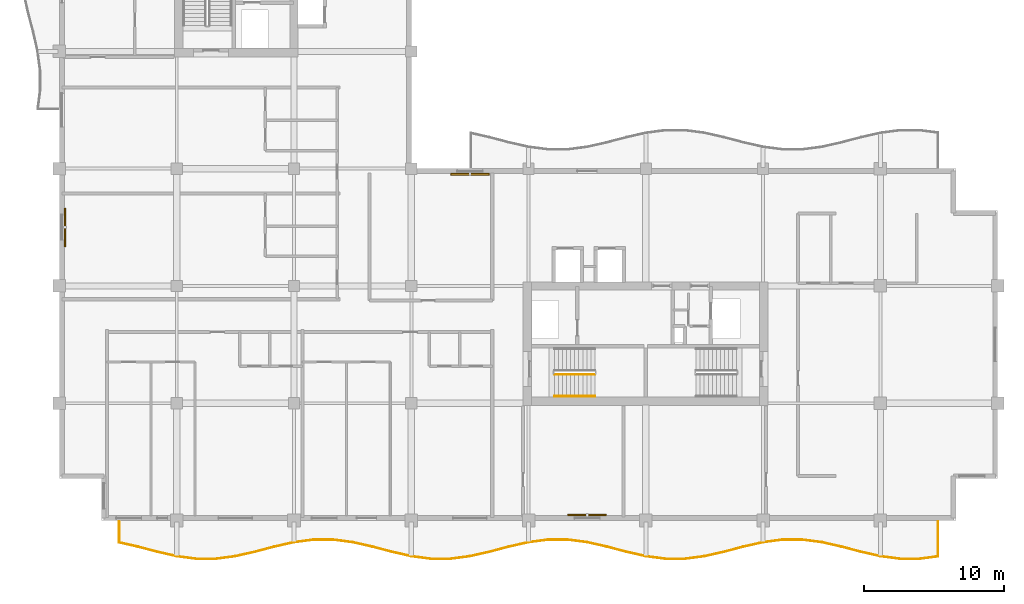
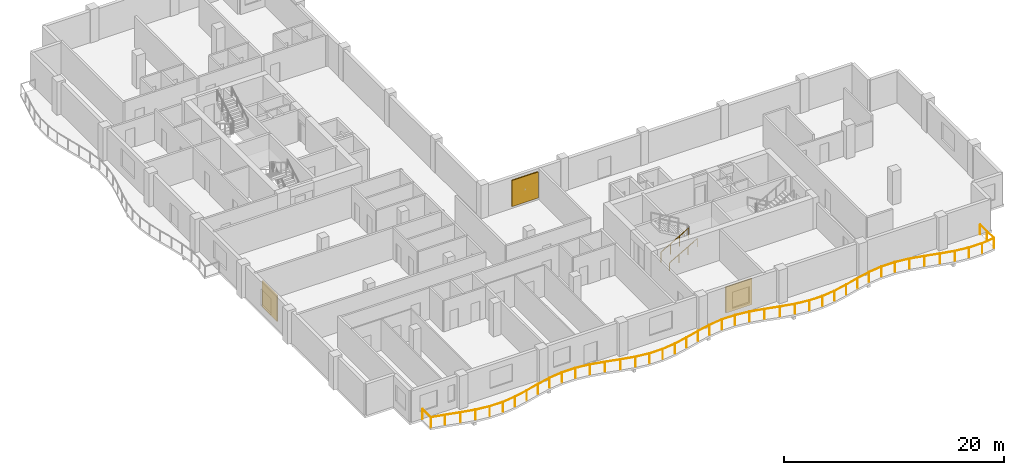
# One storey, part 10 of 12: 3 railings, 3 shading devices.
"""IFC4 building model written with IfcOpenShell, lengths in metres."""

from ifc_helpers import new_model, si_unit, direction, frame, origin, origin_2d, place, context, subcontext, project, spatial, rectangle, circle, extrude, material, layer, layer_set, type_object, element, save


model = new_model("IFC4")

# Units and contexts
model_context = context("Model", 3, precision=1e-05, world=origin(), true_north=direction((0.0, 1.0)))
body_context = subcontext(model_context, "Body", "Model", "MODEL_VIEW")
ifc_project = project(units=[si_unit("LENGTHUNIT", "METRE"), si_unit("AREAUNIT", "SQUARE_METRE"), si_unit("VOLUMEUNIT", "CUBIC_METRE"), si_unit("PLANEANGLEUNIT", "RADIAN"), si_unit("MASSUNIT", "GRAM", prefix="KILO")], contexts=[model_context])

# Site, building, storey
site_placement = place(None, origin())
site = spatial("IfcSite", under=ifc_project, at=site_placement, CompositionType="ELEMENT")
building_placement = place(site_placement, origin())
building = spatial("IfcBuilding", under=site, at=building_placement, Name="Koriwani Terraces Tower", CompositionType="ELEMENT")
storey_placement = place(building_placement, frame((0.0, 0.0, 263.800048828125)))
storey = spatial("IfcBuildingStorey", under=building, at=storey_placement, Name="L65", CompositionType="ELEMENT", Elevation=263.800048828125)

# Railings
ifc_material_1 = material(Name="Steel ASTM A572 Grade 50", Category="steel")
railing_type_1 = type_object("IfcRailingType", Name="GUARD_BALUSTRADE_1150", PredefinedType="BALUSTRADE", material=ifc_material_1)
railing_1_placement = place(storey_placement, frame((12.679931640625, 8.320068359375, 0.0)))
element("IfcRailing", 1, at=railing_1_placement, inside=storey, type_object=railing_type_1, Name="L65 Balcony Perimeter Safety Balustrade (S)", PredefinedType="BALUSTRADE", context=body_context, shape_type="SweptSolid", body=[
    extrude(circle(Radius=0.02392578125, at=origin_2d()), frame((0.0, 0.0, 1.1259765625), z_axis=(0.0, -1.0, 0.0), x_axis=(1.0, 0.0, 0.0)), (0.0, 0.0, 1.0), 1.494140625),
    extrude(circle(Radius=0.02392578125, at=origin_2d()), frame((0.0, -1.494140625, 1.1259765625), z_axis=(0.97511713615, -0.221690258665, 0.0), x_axis=(0.221690258665, 0.97511713615, 0.0)), (0.0, 0.0, 1.0), 1.373291015625),
    extrude(circle(Radius=0.02392578125, at=origin_2d()), frame((1.339111328125, -1.798583984375, 1.1259765625), z_axis=(0.967196782226, -0.254028314271, 0.0), x_axis=(0.254028314271, 0.967196782226, 0.0)), (0.0, 0.0, 1.0), 1.447265625),
    extrude(circle(Radius=0.02392578125, at=origin_2d()), frame((2.739013671875, -2.166259765625, 1.1259765625), z_axis=(0.975164692652, -0.221480974814, 0.0), x_axis=(0.221480974814, 0.975164692652, 0.0)), (0.0, 0.0, 1.0), 1.430908203125),
    extrude(circle(Radius=0.02392578125, at=origin_2d()), frame((4.13427734375, -2.483154296875, 1.1259765625), z_axis=(0.991490391866, -0.130179886452, 0.0), x_axis=(0.130179886452, 0.991490391866, 0.0)), (0.0, 0.0, 1.0), 1.40283203125),
    extrude(circle(Radius=0.02392578125, at=origin_2d()), frame((5.525146484375, -2.665771484375, 1.1259765625), z_axis=(1.0, 0.0, 0.0), x_axis=(0.0, 1.0, 0.0)), (0.0, 0.0, 1.0), 1.3896484375),
    extrude(circle(Radius=0.02392578125, at=origin_2d()), frame((6.914794921875, -2.665771484375, 1.1259765625), z_axis=(0.991493340479, 0.130157426935, 0.0), x_axis=(-0.130157426935, 0.991493340479, 0.0)), (0.0, 0.0, 1.0), 1.403076171875),
    extrude(circle(Radius=0.02392578125, at=origin_2d()), frame((8.305908203125, -2.483154296875, 1.1259765625), z_axis=(0.975164692652, 0.221480974814, 0.0), x_axis=(-0.221480974814, 0.975164692652, 0.0)), (0.0, 0.0, 1.0), 1.430908203125),
    extrude(circle(Radius=0.02392578125, at=origin_2d()), frame((9.701171875, -2.166259765625, 1.1259765625), z_axis=(0.967196782226, 0.254028314271, 0.0), x_axis=(-0.254028314271, 0.967196782226, 0.0)), (0.0, 0.0, 1.0), 1.447265625),
    extrude(circle(Radius=0.02392578125, at=origin_2d()), frame((11.10107421875, -1.798583984375, 1.1259765625), z_axis=(0.975122866469, 0.221665052023, 0.0), x_axis=(-0.221665052023, 0.975122866469, 0.0)), (0.0, 0.0, 1.0), 1.440673828125),
    extrude(circle(Radius=0.02392578125, at=origin_2d()), frame((12.505859375, -1.479248046875, 1.1259765625), z_axis=(0.991528403605, 0.12989004906, 0.0), x_axis=(-0.12989004906, 0.991528403605, 0.0)), (0.0, 0.0, 1.0), 1.4208984375),
    extrude(circle(Radius=0.02392578125, at=origin_2d()), frame((13.914794921875, -1.294677734375, 1.1259765625), z_axis=(1.0, 0.0, 0.0), x_axis=(0.0, 1.0, 0.0)), (0.0, 0.0, 1.0), 1.410400390625),
    extrude(circle(Radius=0.02392578125, at=origin_2d()), frame((15.3251953125, -1.294677734375, 1.1259765625), z_axis=(0.991528403605, -0.12989004906, 0.0), x_axis=(0.12989004906, 0.991528403605, 0.0)), (0.0, 0.0, 1.0), 1.4208984375),
    extrude(circle(Radius=0.02392578125, at=origin_2d()), frame((16.734130859375, -1.479248046875, 1.1259765625), z_axis=(0.975131191317, -0.221628427149, 0.0), x_axis=(0.221628427149, 0.975131191317, 0.0)), (0.0, 0.0, 1.0), 1.44091796875),
    extrude(circle(Radius=0.02392578125, at=origin_2d()), frame((18.13916015625, -1.798583984375, 1.1259765625), z_axis=(0.967196782226, -0.254028314271, 0.0), x_axis=(0.254028314271, 0.967196782226, 0.0)), (0.0, 0.0, 1.0), 1.447265625),
    extrude(circle(Radius=0.02392578125, at=origin_2d()), frame((19.5390625, -2.166259765625, 1.1259765625), z_axis=(0.975156320387, -0.221517834068, 0.0), x_axis=(0.221517834068, 0.975156320387, 0.0)), (0.0, 0.0, 1.0), 1.4306640625),
    extrude(circle(Radius=0.02392578125, at=origin_2d()), frame((20.93408203125, -2.483154296875, 1.1259765625), z_axis=(0.991493340479, -0.130157426935, 0.0), x_axis=(0.130157426935, 0.991493340479, 0.0)), (0.0, 0.0, 1.0), 1.403076171875),
    extrude(circle(Radius=0.02392578125, at=origin_2d()), frame((22.3251953125, -2.665771484375, 1.1259765625), z_axis=(1.0, 0.0, 0.0), x_axis=(0.0, 1.0, 0.0)), (0.0, 0.0, 1.0), 1.3896484375),
    extrude(circle(Radius=0.02392578125, at=origin_2d()), frame((23.71484375, -2.665771484375, 1.1259765625), z_axis=(0.991493340479, 0.130157426935, 0.0), x_axis=(-0.130157426935, 0.991493340479, 0.0)), (0.0, 0.0, 1.0), 1.403076171875),
    extrude(circle(Radius=0.02392578125, at=origin_2d()), frame((25.10595703125, -2.483154296875, 1.1259765625), z_axis=(0.975156320387, 0.221517834068, 0.0), x_axis=(-0.221517834068, 0.975156320387, 0.0)), (0.0, 0.0, 1.0), 1.4306640625),
    extrude(circle(Radius=0.02392578125, at=origin_2d()), frame((26.5009765625, -2.166259765625, 1.1259765625), z_axis=(0.967207664387, 0.253986877518, 0.0), x_axis=(-0.253986877518, 0.967207664387, 0.0)), (0.0, 0.0, 1.0), 1.447509765625),
    extrude(circle(Radius=0.02392578125, at=origin_2d()), frame((27.901123046875, -1.798583984375, 1.1259765625), z_axis=(0.975122866469, 0.221665052023, 0.0), x_axis=(-0.221665052023, 0.975122866469, 0.0)), (0.0, 0.0, 1.0), 1.440673828125),
    extrude(circle(Radius=0.02392578125, at=origin_2d()), frame((29.305908203125, -1.479248046875, 1.1259765625), z_axis=(0.991528403605, 0.12989004906, 0.0), x_axis=(-0.12989004906, 0.991528403605, 0.0)), (0.0, 0.0, 1.0), 1.4208984375),
    extrude(circle(Radius=0.02392578125, at=origin_2d()), frame((30.71484375, -1.294677734375, 1.1259765625), z_axis=(1.0, 0.0, 0.0), x_axis=(0.0, 1.0, 0.0)), (0.0, 0.0, 1.0), 1.410400390625),
    extrude(circle(Radius=0.02392578125, at=origin_2d()), frame((32.125244140625, -1.294677734375, 1.1259765625), z_axis=(0.991528403605, -0.12989004906, 0.0), x_axis=(0.12989004906, 0.991528403605, 0.0)), (0.0, 0.0, 1.0), 1.4208984375),
    extrude(circle(Radius=0.02392578125, at=origin_2d()), frame((33.5341796875, -1.479248046875, 1.1259765625), z_axis=(0.975122866469, -0.221665052023, 0.0), x_axis=(0.221665052023, 0.975122866469, 0.0)), (0.0, 0.0, 1.0), 1.440673828125),
    extrude(circle(Radius=0.02392578125, at=origin_2d()), frame((34.93896484375, -1.798583984375, 1.1259765625), z_axis=(0.967207664387, -0.253986877518, 0.0), x_axis=(0.253986877518, 0.967207664387, 0.0)), (0.0, 0.0, 1.0), 1.447509765625),
    extrude(circle(Radius=0.02392578125, at=origin_2d()), frame((36.339111328125, -2.166259765625, 1.1259765625), z_axis=(0.975156320387, -0.221517834068, 0.0), x_axis=(0.221517834068, 0.975156320387, 0.0)), (0.0, 0.0, 1.0), 1.4306640625),
    extrude(circle(Radius=0.02392578125, at=origin_2d()), frame((37.734130859375, -2.483154296875, 1.1259765625), z_axis=(0.991493340479, -0.130157426935, 0.0), x_axis=(0.130157426935, 0.991493340479, 0.0)), (0.0, 0.0, 1.0), 1.403076171875),
    extrude(circle(Radius=0.02392578125, at=origin_2d()), frame((39.125244140625, -2.665771484375, 1.1259765625), z_axis=(1.0, 0.0, 0.0), x_axis=(0.0, 1.0, 0.0)), (0.0, 0.0, 1.0), 1.3896484375),
    extrude(circle(Radius=0.02392578125, at=origin_2d()), frame((40.514892578125, -2.665771484375, 1.1259765625), z_axis=(0.991493340479, 0.130157426935, 0.0), x_axis=(-0.130157426935, 0.991493340479, 0.0)), (0.0, 0.0, 1.0), 1.403076171875),
    extrude(circle(Radius=0.02392578125, at=origin_2d()), frame((41.906005859375, -2.483154296875, 1.1259765625), z_axis=(0.975156320387, 0.221517834068, 0.0), x_axis=(-0.221517834068, 0.975156320387, 0.0)), (0.0, 0.0, 1.0), 1.4306640625),
    extrude(circle(Radius=0.02392578125, at=origin_2d()), frame((43.301025390625, -2.166259765625, 1.1259765625), z_axis=(0.967207664387, 0.253986877518, 0.0), x_axis=(-0.253986877518, 0.967207664387, 0.0)), (0.0, 0.0, 1.0), 1.447509765625),
    extrude(circle(Radius=0.02392578125, at=origin_2d()), frame((44.701171875, -1.798583984375, 1.1259765625), z_axis=(0.975122866469, 0.221665052023, 0.0), x_axis=(-0.221665052023, 0.975122866469, 0.0)), (0.0, 0.0, 1.0), 1.440673828125),
    extrude(circle(Radius=0.02392578125, at=origin_2d()), frame((46.10595703125, -1.479248046875, 1.1259765625), z_axis=(0.991528403605, 0.12989004906, 0.0), x_axis=(-0.12989004906, 0.991528403605, 0.0)), (0.0, 0.0, 1.0), 1.4208984375),
    extrude(circle(Radius=0.02392578125, at=origin_2d()), frame((47.514892578125, -1.294677734375, 1.1259765625), z_axis=(1.0, 0.0, 0.0), x_axis=(0.0, 1.0, 0.0)), (0.0, 0.0, 1.0), 1.410400390625),
    extrude(circle(Radius=0.02392578125, at=origin_2d()), frame((48.92529296875, -1.294677734375, 1.1259765625), z_axis=(0.991528403605, -0.12989004906, 0.0), x_axis=(0.12989004906, 0.991528403605, 0.0)), (0.0, 0.0, 1.0), 1.4208984375),
    extrude(circle(Radius=0.02392578125, at=origin_2d()), frame((50.334228515625, -1.479248046875, 1.1259765625), z_axis=(0.975122866469, -0.221665052023, 0.0), x_axis=(0.221665052023, 0.975122866469, 0.0)), (0.0, 0.0, 1.0), 1.440673828125),
    extrude(circle(Radius=0.02392578125, at=origin_2d()), frame((51.739013671875, -1.798583984375, 1.1259765625), z_axis=(0.967207664387, -0.253986877518, 0.0), x_axis=(0.253986877518, 0.967207664387, 0.0)), (0.0, 0.0, 1.0), 1.447509765625),
    extrude(circle(Radius=0.02392578125, at=origin_2d()), frame((53.13916015625, -2.166259765625, 1.1259765625), z_axis=(0.975156320387, -0.221517834068, 0.0), x_axis=(0.221517834068, 0.975156320387, 0.0)), (0.0, 0.0, 1.0), 1.4306640625),
    extrude(circle(Radius=0.02392578125, at=origin_2d()), frame((54.5341796875, -2.483154296875, 1.1259765625), z_axis=(0.991493340479, -0.130157426935, 0.0), x_axis=(0.130157426935, 0.991493340479, 0.0)), (0.0, 0.0, 1.0), 1.403076171875),
    extrude(circle(Radius=0.02392578125, at=origin_2d()), frame((55.92529296875, -2.665771484375, 1.1259765625), z_axis=(1.0, 0.0, 0.0), x_axis=(0.0, 1.0, 0.0)), (0.0, 0.0, 1.0), 1.3896484375),
    extrude(circle(Radius=0.02392578125, at=origin_2d()), frame((57.31494140625, -2.665771484375, 1.1259765625), z_axis=(0.991506441664, 0.130057587779, 0.0), x_axis=(-0.130057587779, 0.991506441664, 0.0)), (0.0, 0.0, 1.0), 1.33642578125),
    extrude(circle(Radius=0.02392578125, at=origin_2d()), frame((58.64013671875, -2.491943359375, 1.1259765625), z_axis=(0.0, 1.0, 0.0), x_axis=(-1.0, 0.0, 0.0)), (0.0, 0.0, 1.0), 2.491943359375),
    extrude(circle(Radius=0.02099609375, at=origin_2d()), origin(), (0.0, 0.0, 1.0), 1.101806640625),
    extrude(circle(Radius=0.02099609375, at=origin_2d()), frame((0.0, -1.494140625, 0.0)), (0.0, 0.0, 1.0), 1.101806640625),
    extrude(circle(Radius=0.02099609375, at=origin_2d()), frame((1.339111328125, -1.798583984375, 0.0)), (0.0, 0.0, 1.0), 1.101806640625),
    extrude(circle(Radius=0.02099609375, at=origin_2d()), frame((2.739013671875, -2.166259765625, 0.0)), (0.0, 0.0, 1.0), 1.101806640625),
    extrude(circle(Radius=0.02099609375, at=origin_2d()), frame((4.13427734375, -2.483154296875, 0.0)), (0.0, 0.0, 1.0), 1.101806640625),
    extrude(circle(Radius=0.02099609375, at=origin_2d()), frame((5.525146484375, -2.665771484375, 0.0)), (0.0, 0.0, 1.0), 1.101806640625),
    extrude(circle(Radius=0.02099609375, at=origin_2d()), frame((6.914794921875, -2.665771484375, 0.0)), (0.0, 0.0, 1.0), 1.101806640625),
    extrude(circle(Radius=0.02099609375, at=origin_2d()), frame((8.305908203125, -2.483154296875, 0.0)), (0.0, 0.0, 1.0), 1.101806640625),
    extrude(circle(Radius=0.02099609375, at=origin_2d()), frame((9.701171875, -2.166259765625, 0.0)), (0.0, 0.0, 1.0), 1.101806640625),
    extrude(circle(Radius=0.02099609375, at=origin_2d()), frame((11.10107421875, -1.798583984375, 0.0)), (0.0, 0.0, 1.0), 1.101806640625),
    extrude(circle(Radius=0.02099609375, at=origin_2d()), frame((12.505859375, -1.479248046875, 0.0)), (0.0, 0.0, 1.0), 1.101806640625),
    extrude(circle(Radius=0.02099609375, at=origin_2d()), frame((13.914794921875, -1.294677734375, 0.0)), (0.0, 0.0, 1.0), 1.101806640625),
    extrude(circle(Radius=0.02099609375, at=origin_2d()), frame((15.3251953125, -1.294677734375, 0.0)), (0.0, 0.0, 1.0), 1.101806640625),
    extrude(circle(Radius=0.02099609375, at=origin_2d()), frame((16.734130859375, -1.479248046875, 0.0)), (0.0, 0.0, 1.0), 1.101806640625),
    extrude(circle(Radius=0.02099609375, at=origin_2d()), frame((18.13916015625, -1.798583984375, 0.0)), (0.0, 0.0, 1.0), 1.101806640625),
    extrude(circle(Radius=0.02099609375, at=origin_2d()), frame((19.5390625, -2.166259765625, 0.0)), (0.0, 0.0, 1.0), 1.101806640625),
    extrude(circle(Radius=0.02099609375, at=origin_2d()), frame((20.93408203125, -2.483154296875, 0.0)), (0.0, 0.0, 1.0), 1.101806640625),
    extrude(circle(Radius=0.02099609375, at=origin_2d()), frame((22.3251953125, -2.665771484375, 0.0)), (0.0, 0.0, 1.0), 1.101806640625),
    extrude(circle(Radius=0.02099609375, at=origin_2d()), frame((23.71484375, -2.665771484375, 0.0)), (0.0, 0.0, 1.0), 1.101806640625),
    extrude(circle(Radius=0.02099609375, at=origin_2d()), frame((25.10595703125, -2.483154296875, 0.0)), (0.0, 0.0, 1.0), 1.101806640625),
    extrude(circle(Radius=0.02099609375, at=origin_2d()), frame((26.5009765625, -2.166259765625, 0.0)), (0.0, 0.0, 1.0), 1.101806640625),
    extrude(circle(Radius=0.02099609375, at=origin_2d()), frame((27.901123046875, -1.798583984375, 0.0)), (0.0, 0.0, 1.0), 1.101806640625),
    extrude(circle(Radius=0.02099609375, at=origin_2d()), frame((29.305908203125, -1.479248046875, 0.0)), (0.0, 0.0, 1.0), 1.101806640625),
    extrude(circle(Radius=0.02099609375, at=origin_2d()), frame((30.71484375, -1.294677734375, 0.0)), (0.0, 0.0, 1.0), 1.101806640625),
    extrude(circle(Radius=0.02099609375, at=origin_2d()), frame((32.125244140625, -1.294677734375, 0.0)), (0.0, 0.0, 1.0), 1.101806640625),
    extrude(circle(Radius=0.02099609375, at=origin_2d()), frame((33.5341796875, -1.479248046875, 0.0)), (0.0, 0.0, 1.0), 1.101806640625),
    extrude(circle(Radius=0.02099609375, at=origin_2d()), frame((34.93896484375, -1.798583984375, 0.0)), (0.0, 0.0, 1.0), 1.101806640625),
    extrude(circle(Radius=0.02099609375, at=origin_2d()), frame((36.339111328125, -2.166259765625, 0.0)), (0.0, 0.0, 1.0), 1.101806640625),
    extrude(circle(Radius=0.02099609375, at=origin_2d()), frame((37.734130859375, -2.483154296875, 0.0)), (0.0, 0.0, 1.0), 1.101806640625),
    extrude(circle(Radius=0.02099609375, at=origin_2d()), frame((39.125244140625, -2.665771484375, 0.0)), (0.0, 0.0, 1.0), 1.101806640625),
    extrude(circle(Radius=0.02099609375, at=origin_2d()), frame((40.514892578125, -2.665771484375, 0.0)), (0.0, 0.0, 1.0), 1.101806640625),
    extrude(circle(Radius=0.02099609375, at=origin_2d()), frame((41.906005859375, -2.483154296875, 0.0)), (0.0, 0.0, 1.0), 1.101806640625),
    extrude(circle(Radius=0.02099609375, at=origin_2d()), frame((43.301025390625, -2.166259765625, 0.0)), (0.0, 0.0, 1.0), 1.101806640625),
    extrude(circle(Radius=0.02099609375, at=origin_2d()), frame((44.701171875, -1.798583984375, 0.0)), (0.0, 0.0, 1.0), 1.101806640625),
    extrude(circle(Radius=0.02099609375, at=origin_2d()), frame((46.10595703125, -1.479248046875, 0.0)), (0.0, 0.0, 1.0), 1.101806640625),
    extrude(circle(Radius=0.02099609375, at=origin_2d()), frame((47.514892578125, -1.294677734375, 0.0)), (0.0, 0.0, 1.0), 1.101806640625),
    extrude(circle(Radius=0.02099609375, at=origin_2d()), frame((48.92529296875, -1.294677734375, 0.0)), (0.0, 0.0, 1.0), 1.101806640625),
    extrude(circle(Radius=0.02099609375, at=origin_2d()), frame((50.334228515625, -1.479248046875, 0.0)), (0.0, 0.0, 1.0), 1.101806640625),
    extrude(circle(Radius=0.02099609375, at=origin_2d()), frame((51.739013671875, -1.798583984375, 0.0)), (0.0, 0.0, 1.0), 1.101806640625),
    extrude(circle(Radius=0.02099609375, at=origin_2d()), frame((53.13916015625, -2.166259765625, 0.0)), (0.0, 0.0, 1.0), 1.101806640625),
    extrude(circle(Radius=0.02099609375, at=origin_2d()), frame((54.5341796875, -2.483154296875, 0.0)), (0.0, 0.0, 1.0), 1.101806640625),
    extrude(circle(Radius=0.02099609375, at=origin_2d()), frame((55.92529296875, -2.665771484375, 0.0)), (0.0, 0.0, 1.0), 1.101806640625),
    extrude(circle(Radius=0.02099609375, at=origin_2d()), frame((57.31494140625, -2.665771484375, 0.0)), (0.0, 0.0, 1.0), 1.101806640625),
    extrude(circle(Radius=0.02099609375, at=origin_2d()), frame((58.64013671875, -2.491943359375, 0.0)), (0.0, 0.0, 1.0), 1.101806640625),
    extrude(circle(Radius=0.02099609375, at=origin_2d()), frame((58.64013671875, -1.24609375, 0.0)), (0.0, 0.0, 1.0), 1.101806640625),
    extrude(circle(Radius=0.02099609375, at=origin_2d()), frame((58.64013671875, 0.0, 0.0)), (0.0, 0.0, 1.0), 1.101806640625),
])
railing_type_2 = type_object("IfcRailingType", Name="GUARD_STAIR_WELL_1120", PredefinedType="GUARDRAIL", material=ifc_material_1)
railing_2_placement = place(storey_placement, frame((43.85009765625, 18.85009765625, 0.168212890625)))
element("IfcRailing", 2, at=railing_2_placement, inside=storey, type_object=railing_type_2, Name="L65 ST-E1 stair guard 1", PredefinedType="GUARDRAIL", context=body_context, shape_type="SweptSolid", body=[
    extrude(circle(Radius=0.02392578125, at=origin_2d()), frame((0.0, 0.0, 1.1259765625), z_axis=(0.86507038078, 0.0, 0.501650512107), x_axis=(0.0, 1.0, 0.0)), (0.0, 0.0, 1.0), 3.352294921875),
    extrude(circle(Radius=0.02099609375, at=origin_2d()), origin(), (0.0, 0.0, 1.0), 1.101806640625),
    extrude(circle(Radius=0.02099609375, at=origin_2d()), frame((0.966552734375, 0.0, 0.560546875)), (0.0, 0.0, 1.0), 1.101806640625),
    extrude(circle(Radius=0.02099609375, at=origin_2d()), frame((1.933349609375, 0.0, 1.12109375)), (0.0, 0.0, 1.0), 1.101806640625),
    extrude(circle(Radius=0.02099609375, at=origin_2d()), frame((2.89990234375, 0.0, 1.681640625)), (0.0, 0.0, 1.0), 1.101806640625),
])
railing_type_3 = type_object("IfcRailingType", Name="HANDRAIL_STAIR_920", PredefinedType="HANDRAIL", material=ifc_material_1)
railing_3_placement = place(storey_placement, frame((43.85009765625, 17.300048828125, 0.168212890625)))
element("IfcRailing", 3, at=railing_3_placement, inside=storey, type_object=railing_type_3, Name="L65 ST-E1 stair handrail 1", PredefinedType="HANDRAIL", context=body_context, shape_type="SweptSolid", body=[
    extrude(circle(Radius=0.02392578125, at=origin_2d()), frame((0.0, 0.0, 0.8759765625), z_axis=(0.86507038078, 0.0, 0.501650512107), x_axis=(0.0, 1.0, 0.0)), (0.0, 0.0, 1.0), 3.352294921875),
    extrude(circle(Radius=0.02099609375, at=origin_2d()), origin(), (0.0, 0.0, 1.0), 0.851806640625),
    extrude(circle(Radius=0.02099609375, at=origin_2d()), frame((0.966552734375, 0.0, 0.560546875)), (0.0, 0.0, 1.0), 0.851806640625),
    extrude(circle(Radius=0.02099609375, at=origin_2d()), frame((1.933349609375, 0.0, 1.12109375)), (0.0, 0.0, 1.0), 0.851806640625),
    extrude(circle(Radius=0.02099609375, at=origin_2d()), frame((2.89990234375, 0.0, 1.681640625)), (0.0, 0.0, 1.0), 0.851806640625),
])

# Shading devices
ifc_material_2 = material(Name="Extruded Terracotta Clay", Category="masonry")
ifc_layer = layer(ifc_material_2, 0.1201171875, Name="Extruded Terracotta Clay")
ifc_layer_set = layer_set([ifc_layer], Name="Extruded Terracotta Clay")
shading_device_type = type_object("IfcShadingDeviceType", Name="TERRACOTTA_BAGUETTE_SCREEN_2800", PredefinedType="USERDEFINED", material=ifc_layer_set)
for number, where, z_axis, x_axis, name in (
    (4, (8.804931640625, 29.39990234375, 0.284912109375), (0.0, 0.0, 1.0), (0.0, 1.0, 0.0), "L65 Extruded Terracotta Baguette Screen (W-6)"),
    (5, (37.800048828125, 33.195068359375, 0.284912109375), (0.0, 0.0, 1.0), (1.0, 0.0, 0.0), "L65 Extruded Terracotta Baguette Screen (NE-2)"),
    (6, (46.199951171875, 8.804931640625, 0.284912109375), (0.0, 0.0, 1.0), (-1.0, 0.0, 0.0), "L65 Extruded Terracotta Baguette Screen (S-12)"),
):
    element("IfcShadingDevice", number, at=place(storey_placement, frame(where, z_axis=z_axis, x_axis=x_axis)), inside=storey, type_object=shading_device_type, Name=name, ObjectType="BAGUETTE", PredefinedType="USERDEFINED", context=body_context, shape_type="SweptSolid", body=[
        extrude(rectangle(XDim=2.760009765625, YDim=0.1201171875, at=origin_2d()), origin(), (0.0, 0.0, 1.0), 2.89990234375),
    ])

save(model, "model.ifc")
